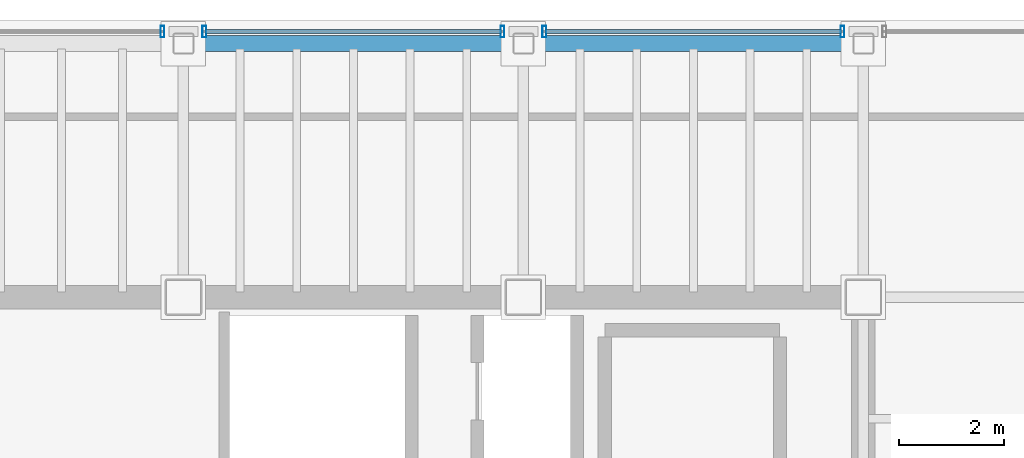
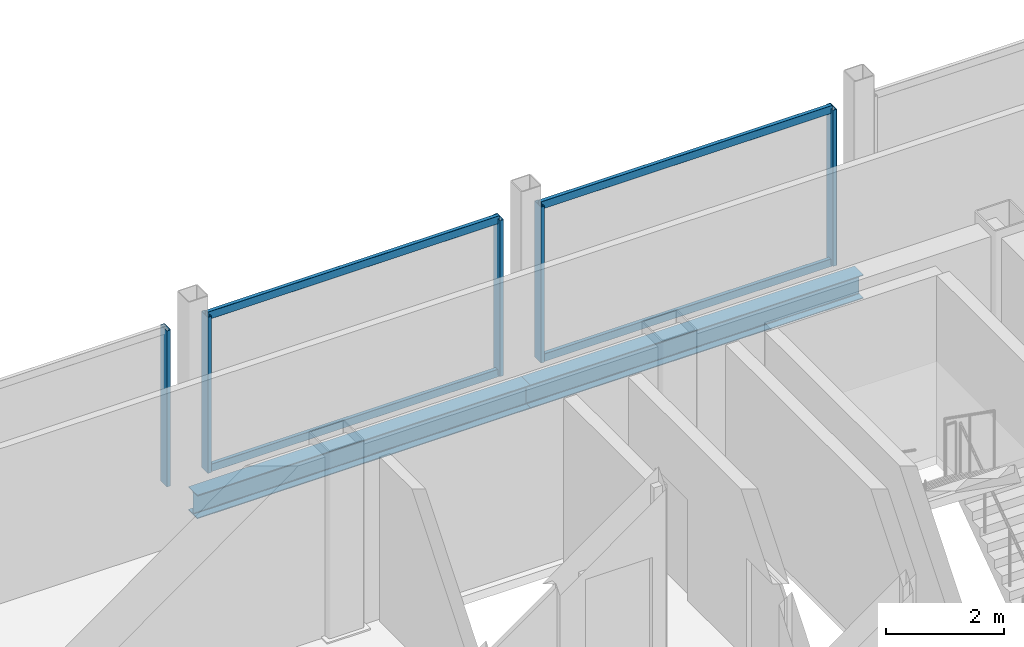
# One storey, part 11 of 17: 9 members, 2 beams, 3 elements without a shape of their own.
"""IFC4 building model written with IfcOpenShell, lengths in metres."""

from ifc_helpers import new_model, si_unit, direction, frame, origin, origin_2d, place, context, subcontext, project, spatial, hollow_rectangle, i_section, extrude, material, material_profile, profile_set, type_object, element, aggregate, save


model = new_model("IFC4")

# Units and contexts
model_context = context("Model", 3, precision=1e-05, world=origin(), true_north=direction((0.0, 1.0)))
body_context = subcontext(model_context, "Body", "Model", "MODEL_VIEW")
ifc_project = project(units=[si_unit("LENGTHUNIT", "METRE"), si_unit("AREAUNIT", "SQUARE_METRE"), si_unit("VOLUMEUNIT", "CUBIC_METRE"), si_unit("PLANEANGLEUNIT", "RADIAN"), si_unit("MASSUNIT", "GRAM", prefix="KILO")], contexts=[model_context])

# Site, building, storey
site_placement = place(None, origin())
site = spatial("IfcSite", under=ifc_project, at=site_placement, CompositionType="ELEMENT")
building_placement = place(site_placement, origin())
building = spatial("IfcBuilding", under=site, at=building_placement, Name="Noeulbin Bourse Tower", CompositionType="ELEMENT")
storey_placement = place(building_placement, frame((0.0, 0.0, 296.89990234375)))
storey = spatial("IfcBuildingStorey", under=building, at=storey_placement, Name="L74", CompositionType="ELEMENT", Elevation=296.89990234375)

# Beams
ifc_material_1 = material(Name="Steel S355", Category="steel")
ifc_material_profile_1 = material_profile(ifc_material_1, i_section(OverallWidth=0.300048828125, OverallDepth=0.488037109375, WebThickness=0.010986328125, FlangeThickness=0.01806640625, FilletRadius=0.02197265625, at=origin_2d()), Name="H-488x300x11x18", Category="LoadBearing")
ifc_profile_set_1 = profile_set([ifc_material_profile_1], Name="Steel S355")
beam_type = type_object("IfcBeamType", Name="BM-SPN-488", PredefinedType="SPANDREL", material=ifc_profile_set_1)
for number, where, z_axis, x_axis, name in (
    (1, (31.0, 43.14990234375, -0.423828125), (1.0, 0.0, 0.0), (0.0, 1.0, 0.0), "North Spandrel L74-2"),
    (2, (37.5, 43.14990234375, -0.423828125), (1.0, 0.0, 0.0), (0.0, 1.0, 0.0), "North Spandrel L74-3"),
):
    element("IfcBeam", number, at=place(storey_placement, frame(where, z_axis=z_axis, x_axis=x_axis)), inside=storey, type_object=beam_type, Name=name, PredefinedType="SPANDREL", context=body_context, shape_type="SweptSolid", body=[
        extrude(i_section(OverallWidth=0.300048828125, OverallDepth=0.488037109375, WebThickness=0.010986328125, FlangeThickness=0.01806640625, FilletRadius=0.02197265625, at=origin_2d()), origin(), (0.0, 0.0, 1.0), 6.5),
    ])

# Curtain wall, member
ifc_material_2 = material(Name="High-Selectivity Low-Iron Glazing", Category="glass")
curtain_wall_type = type_object("IfcCurtainWallType", Name="CW-SYS-4", PredefinedType="NOTDEFINED", material=ifc_material_2)
curtain_wall_1_placement = place(storey_placement, origin())
curtain_wall_1 = element("IfcCurtainWall", 3, at=curtain_wall_1_placement, inside=storey, type_object=curtain_wall_type, Name="Unitised Curtain Wall CW-L74-N-S2", PredefinedType="NOTDEFINED")
ifc_material_3 = material(Name="Anodised Aluminium 6063-T6", Category="aluminium")
ifc_material_profile_2 = material_profile(ifc_material_3, hollow_rectangle(XDim=0.074951171875, YDim=0.219970703125, WallThickness=0.0048828125, InnerFilletRadius=0.00244140625, OuterFilletRadius=0.0048828125, at=origin_2d()), Name="ALU-MULL-75x220x5", Category="LoadBearing")
ifc_profile_set_2 = profile_set([ifc_material_profile_2], Name="Anodised Aluminium 6063-T6")
member_type_1 = type_object("IfcMemberType", Name="CW-SYS-4-MUL", PredefinedType="MULLION", material=ifc_profile_set_2)
member_1_placement = place(storey_placement, frame((30.60009765625, 43.3798828125, -0.02001953125), z_axis=(0.0, 0.0, 1.0), x_axis=(1.0, 0.0, 0.0)))
member_1 = element("IfcMember", 4, at=member_1_placement, type_object=member_type_1, Name="Curtain Wall Mullion CW-L74-N-S2-M01", PredefinedType="MULLION", context=body_context, shape_type="SweptSolid", body=[
    extrude(hollow_rectangle(XDim=0.074951171875, YDim=0.219970703125, WallThickness=0.0048828125, InnerFilletRadius=0.00244140625, OuterFilletRadius=0.0048828125, at=origin_2d()), origin(), (0.0, 0.0, 1.0), 3.22021484375),
])
aggregate(curtain_wall_1, [member_1])

# Curtain wall, members
curtain_wall_2_placement = place(storey_placement, origin())
curtain_wall_2 = element("IfcCurtainWall", 5, at=curtain_wall_2_placement, inside=storey, type_object=curtain_wall_type, Name="Unitised Curtain Wall CW-L74-N-S3", PredefinedType="NOTDEFINED")
member_2_placement = place(storey_placement, frame((31.39990234375, 43.3798828125, -0.02001953125), z_axis=(0.0, 0.0, 1.0), x_axis=(1.0, 0.0, 0.0)))
member_2 = element("IfcMember", 6, at=member_2_placement, type_object=member_type_1, Name="Curtain Wall Mullion CW-L74-N-S3-M00", PredefinedType="MULLION", context=body_context, shape_type="SweptSolid", body=[
    extrude(hollow_rectangle(XDim=0.074951171875, YDim=0.219970703125, WallThickness=0.0048828125, InnerFilletRadius=0.00244140625, OuterFilletRadius=0.0048828125, at=origin_2d()), origin(), (0.0, 0.0, 1.0), 3.22021484375),
])
member_3_placement = place(storey_placement, frame((37.10009765625, 43.3798828125, -0.02001953125), z_axis=(0.0, 0.0, 1.0), x_axis=(1.0, 0.0, 0.0)))
member_3 = element("IfcMember", 7, at=member_3_placement, type_object=member_type_1, Name="Curtain Wall Mullion CW-L74-N-S3-M01", PredefinedType="MULLION", context=body_context, shape_type="SweptSolid", body=[
    extrude(hollow_rectangle(XDim=0.074951171875, YDim=0.219970703125, WallThickness=0.0048828125, InnerFilletRadius=0.00244140625, OuterFilletRadius=0.0048828125, at=origin_2d()), origin(), (0.0, 0.0, 1.0), 3.22021484375),
])

curtain_wall_3_placement = place(storey_placement, origin())
curtain_wall_3 = element("IfcCurtainWall", 8, at=curtain_wall_3_placement, inside=storey, type_object=curtain_wall_type, Name="Unitised Curtain Wall CW-L74-N-S4", PredefinedType="NOTDEFINED")
member_4_placement = place(storey_placement, frame((37.89990234375, 43.3798828125, -0.02001953125), z_axis=(0.0, 0.0, 1.0), x_axis=(1.0, 0.0, 0.0)))
member_4 = element("IfcMember", 9, at=member_4_placement, type_object=member_type_1, Name="Curtain Wall Mullion CW-L74-N-S4-M00", PredefinedType="MULLION", context=body_context, shape_type="SweptSolid", body=[
    extrude(hollow_rectangle(XDim=0.074951171875, YDim=0.219970703125, WallThickness=0.0048828125, InnerFilletRadius=0.00244140625, OuterFilletRadius=0.0048828125, at=origin_2d()), origin(), (0.0, 0.0, 1.0), 3.22021484375),
])
member_5_placement = place(storey_placement, frame((43.60009765625, 43.3798828125, -0.02001953125), z_axis=(0.0, 0.0, 1.0), x_axis=(1.0, 0.0, 0.0)))
member_5 = element("IfcMember", 10, at=member_5_placement, type_object=member_type_1, Name="Curtain Wall Mullion CW-L74-N-S4-M01", PredefinedType="MULLION", context=body_context, shape_type="SweptSolid", body=[
    extrude(hollow_rectangle(XDim=0.074951171875, YDim=0.219970703125, WallThickness=0.0048828125, InnerFilletRadius=0.00244140625, OuterFilletRadius=0.0048828125, at=origin_2d()), origin(), (0.0, 0.0, 1.0), 3.22021484375),
])

# Member
ifc_material_profile_3 = material_profile(ifc_material_3, hollow_rectangle(XDim=0.074951171875, YDim=0.159912109375, WallThickness=0.0048828125, InnerFilletRadius=0.00244140625, OuterFilletRadius=0.0048828125, at=origin_2d()), Name="ALU-TRAN-75x160x5", Category="LoadBearing")
ifc_profile_set_3 = profile_set([ifc_material_profile_3], Name="Anodised Aluminium 6063-T6")
member_type_2 = type_object("IfcMemberType", Name="CW-SYS-4-TRN", PredefinedType="USERDEFINED", material=ifc_profile_set_3)
member_6_placement = place(storey_placement, frame((31.409912109375, 43.3798828125, 0.010009765625), z_axis=(1.0, 0.0, 0.0), x_axis=(0.0, 1.0, 0.0)))
member_6 = element("IfcMember", 11, at=member_6_placement, type_object=member_type_2, Name="Curtain Wall Transom CW-L74-N-S3-T00", ObjectType="TRANSOM", PredefinedType="USERDEFINED", context=body_context, shape_type="SweptSolid", body=[
    extrude(hollow_rectangle(XDim=0.074951171875, YDim=0.159912109375, WallThickness=0.0048828125, InnerFilletRadius=0.00244140625, OuterFilletRadius=0.0048828125, at=origin_2d()), origin(), (0.0, 0.0, 1.0), 5.68017578125),
])

member_7_placement = place(storey_placement, frame((31.409912109375, 43.3798828125, 3.170166015625), z_axis=(1.0, 0.0, 0.0), x_axis=(0.0, 1.0, 0.0)))
member_7 = element("IfcMember", 12, at=member_7_placement, type_object=member_type_2, Name="Curtain Wall Transom CW-L74-N-S3-T01", ObjectType="TRANSOM", PredefinedType="USERDEFINED", context=body_context, shape_type="SweptSolid", body=[
    extrude(hollow_rectangle(XDim=0.074951171875, YDim=0.159912109375, WallThickness=0.0048828125, InnerFilletRadius=0.00244140625, OuterFilletRadius=0.0048828125, at=origin_2d()), origin(), (0.0, 0.0, 1.0), 5.68017578125),
])

aggregate(curtain_wall_2, [member_2, member_3, member_6, member_7])

member_8_placement = place(storey_placement, frame((37.909912109375, 43.3798828125, 0.010009765625), z_axis=(1.0, 0.0, 0.0), x_axis=(0.0, 1.0, 0.0)))
member_8 = element("IfcMember", 13, at=member_8_placement, type_object=member_type_2, Name="Curtain Wall Transom CW-L74-N-S4-T00", ObjectType="TRANSOM", PredefinedType="USERDEFINED", context=body_context, shape_type="SweptSolid", body=[
    extrude(hollow_rectangle(XDim=0.074951171875, YDim=0.159912109375, WallThickness=0.0048828125, InnerFilletRadius=0.00244140625, OuterFilletRadius=0.0048828125, at=origin_2d()), origin(), (0.0, 0.0, 1.0), 5.68017578125),
])

member_9_placement = place(storey_placement, frame((37.909912109375, 43.3798828125, 3.170166015625), z_axis=(1.0, 0.0, 0.0), x_axis=(0.0, 1.0, 0.0)))
member_9 = element("IfcMember", 14, at=member_9_placement, type_object=member_type_2, Name="Curtain Wall Transom CW-L74-N-S4-T01", ObjectType="TRANSOM", PredefinedType="USERDEFINED", context=body_context, shape_type="SweptSolid", body=[
    extrude(hollow_rectangle(XDim=0.074951171875, YDim=0.159912109375, WallThickness=0.0048828125, InnerFilletRadius=0.00244140625, OuterFilletRadius=0.0048828125, at=origin_2d()), origin(), (0.0, 0.0, 1.0), 5.68017578125),
])

aggregate(curtain_wall_3, [member_4, member_5, member_8, member_9])

save(model, "model.ifc")
